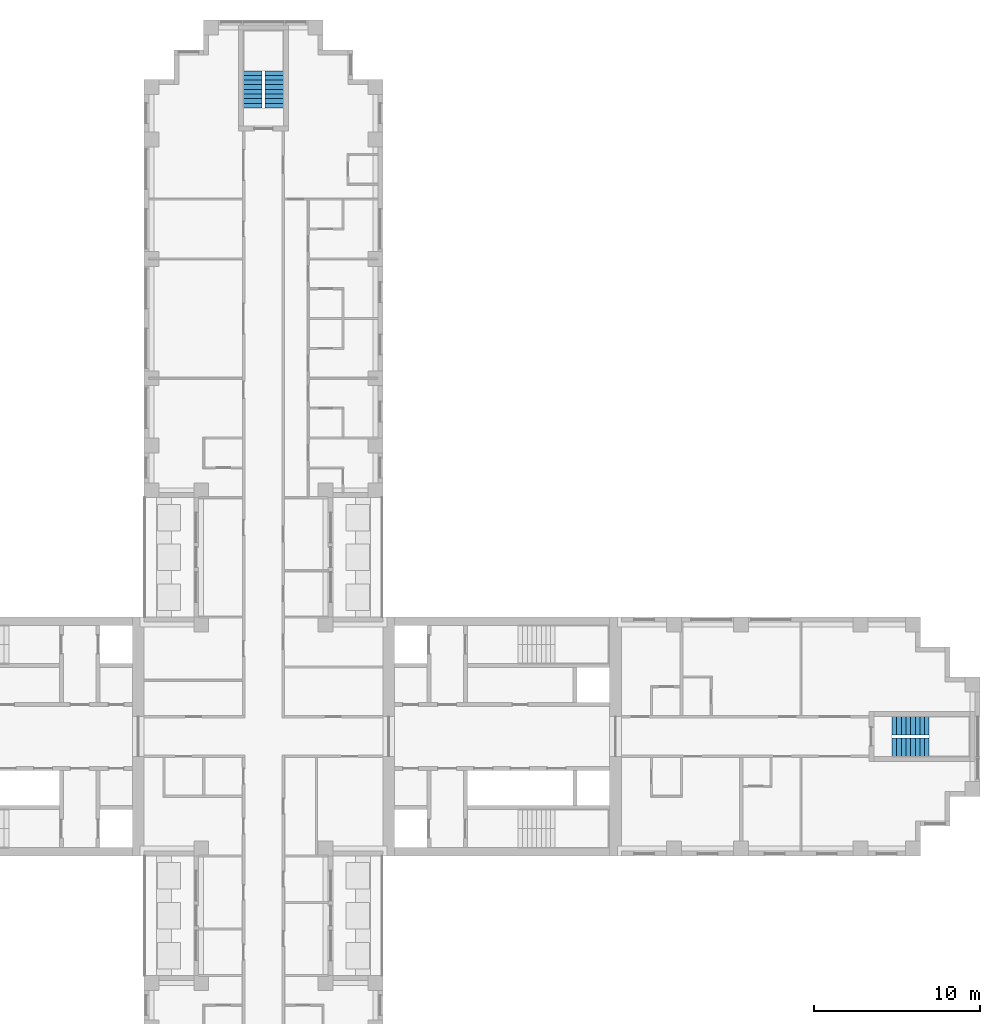
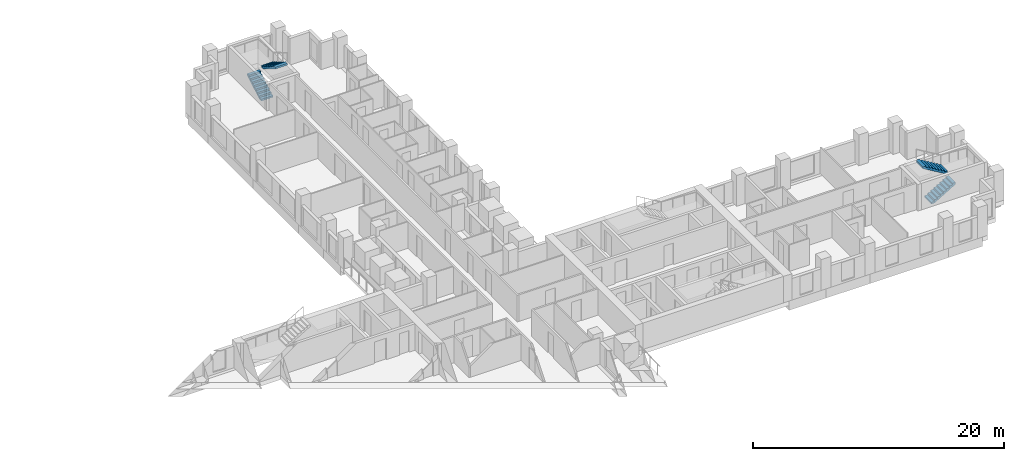
# One storey, part 13 of 15: 4 stair flights, 2 elements without a shape of their own.
"""IFC4 building model written with IfcOpenShell, lengths in metres."""

from ifc_helpers import new_model, si_unit, direction, frame, origin, place, context, subcontext, project, spatial, polyline, outline, extrude, material, type_object, element, aggregate, save


model = new_model("IFC4")

# Units and contexts
model_context = context("Model", 3, precision=1e-05, world=origin(), true_north=direction((0.0, 1.0)))
body_context = subcontext(model_context, "Body", "Model", "MODEL_VIEW")
ifc_project = project(units=[si_unit("LENGTHUNIT", "METRE"), si_unit("AREAUNIT", "SQUARE_METRE"), si_unit("VOLUMEUNIT", "CUBIC_METRE"), si_unit("PLANEANGLEUNIT", "RADIAN"), si_unit("MASSUNIT", "GRAM", prefix="KILO")], contexts=[model_context])

# Site, building, storey
site_placement = place(None, origin())
site = spatial("IfcSite", under=ifc_project, at=site_placement, CompositionType="ELEMENT")
building_placement = place(site_placement, origin())
building = spatial("IfcBuilding", under=site, at=building_placement, Name="Fustian Cross Tower", CompositionType="ELEMENT")
storey_placement = place(building_placement, frame((0.0, 0.0, 41.699951171875)))
storey = spatial("IfcBuildingStorey", under=building, at=storey_placement, Name="L12", CompositionType="ELEMENT", Elevation=41.699951171875)

# Stair, stair flights
ifc_material_1 = material(Name="Concrete C50/60", Category="concrete")
stair_type = type_object("IfcStairType", Name="STAIR 1100 HALF TURN", PredefinedType="HALF_TURN_STAIR", material=ifc_material_1)
stair_1_placement = place(storey_placement, origin())
stair_1 = element("IfcStair", 1, at=stair_1_placement, inside=storey, type_object=stair_type, Name="Stair ST5", PredefinedType="HALF_TURN_STAIR")
ifc_material_2 = material(Name="Concrete C50/60", Category="concrete")
stair_flight_type = type_object("IfcStairFlightType", Name="STAIR FLIGHT 1100", PredefinedType="STRAIGHT", material=ifc_material_2)
stair_flight_1_placement = place(storey_placement, frame((-0.64990234375, 37.89990234375, 0.0), z_axis=(0.0, 0.0, 1.0), x_axis=(0.0, 1.0, 0.0)))
stair_flight_1 = element("IfcStairFlight", 2, at=stair_flight_1_placement, type_object=stair_flight_type, Name="ST5 flight 1", NumberOfRisers=9, NumberOfTreads=8, PredefinedType="STRAIGHT", RiserHeight=0.166666667, TreadLength=0.28, context=body_context, shape_type="SweptSolid", body=[
    extrude(outline(polyline([(0.0, 0.0), (0.0, 0.166748046875), (0.280029296875, 0.166748046875), (0.280029296875, 0.333251953125), (0.56005859375, 0.333251953125), (0.56005859375, 0.5), (0.840087890625, 0.5), (0.840087890625, 0.666748046875), (1.1201171875, 0.666748046875), (1.1201171875, 0.833251953125), (1.39990234375, 0.833251953125), (1.39990234375, 1.0), (1.679931640625, 1.0), (1.679931640625, 1.166748046875), (1.9599609375, 1.166748046875), (1.9599609375, 1.333251953125), (2.239990234375, 1.333251953125), (2.239990234375, 1.5), (2.239990234375, 1.158935546875), (0.29296875, 0.0), (0.0, 0.0)])), frame((0.0, 0.550048828125, 0.0), z_axis=(0.0, -1.0, 0.0), x_axis=(1.0, 0.0, 0.0)), (0.0, 0.0, 1.0), 1.10009765625),
])
stair_flight_2_placement = place(storey_placement, frame((0.64990234375, 40.139892578125, 1.5), z_axis=(0.0, 0.0, 1.0), x_axis=(0.0, -1.0, 0.0)))
stair_flight_2 = element("IfcStairFlight", 3, at=stair_flight_2_placement, type_object=stair_flight_type, Name="ST5 flight 2", NumberOfRisers=9, NumberOfTreads=8, PredefinedType="STRAIGHT", RiserHeight=0.166666667, TreadLength=0.28, context=body_context, shape_type="SweptSolid", body=[
    extrude(outline(polyline([(0.0, 0.0), (0.0, 0.166748046875), (0.280029296875, 0.166748046875), (0.280029296875, 0.333251953125), (0.56005859375, 0.333251953125), (0.56005859375, 0.5), (0.840087890625, 0.5), (0.840087890625, 0.666748046875), (1.1201171875, 0.666748046875), (1.1201171875, 0.833251953125), (1.39990234375, 0.833251953125), (1.39990234375, 1.0), (1.679931640625, 1.0), (1.679931640625, 1.166748046875), (1.9599609375, 1.166748046875), (1.9599609375, 1.333251953125), (2.239990234375, 1.333251953125), (2.239990234375, 1.5), (2.239990234375, 1.158935546875), (0.29296875, 0.0), (0.0, 0.0)])), frame((0.0, 0.550048828125, 0.0), z_axis=(0.0, -1.0, 0.0), x_axis=(1.0, 0.0, 0.0)), (0.0, 0.0, 1.0), 1.10009765625),
])
aggregate(stair_1, [stair_flight_1, stair_flight_2])

stair_2_placement = place(storey_placement, origin())
stair_2 = element("IfcStair", 4, at=stair_2_placement, inside=storey, type_object=stair_type, Name="Stair ST8", PredefinedType="HALF_TURN_STAIR")
stair_flight_3_placement = place(storey_placement, frame((37.89990234375, -0.64990234375, 0.0), z_axis=(0.0, 0.0, 1.0), x_axis=(1.0, 0.0, 0.0)))
stair_flight_3 = element("IfcStairFlight", 5, at=stair_flight_3_placement, type_object=stair_flight_type, Name="ST8 flight 1", NumberOfRisers=9, NumberOfTreads=8, PredefinedType="STRAIGHT", RiserHeight=0.166666667, TreadLength=0.28, context=body_context, shape_type="SweptSolid", body=[
    extrude(outline(polyline([(0.0, 0.0), (0.0, 0.166748046875), (0.280029296875, 0.166748046875), (0.280029296875, 0.333251953125), (0.56005859375, 0.333251953125), (0.56005859375, 0.5), (0.840087890625, 0.5), (0.840087890625, 0.666748046875), (1.1201171875, 0.666748046875), (1.1201171875, 0.833251953125), (1.39990234375, 0.833251953125), (1.39990234375, 1.0), (1.679931640625, 1.0), (1.679931640625, 1.166748046875), (1.9599609375, 1.166748046875), (1.9599609375, 1.333251953125), (2.239990234375, 1.333251953125), (2.239990234375, 1.5), (2.239990234375, 1.158935546875), (0.29296875, 0.0), (0.0, 0.0)])), frame((0.0, 0.550048828125, 0.0), z_axis=(0.0, -1.0, 0.0), x_axis=(1.0, 0.0, 0.0)), (0.0, 0.0, 1.0), 1.10009765625),
])
stair_flight_4_placement = place(storey_placement, frame((40.139892578125, 0.64990234375, 1.5), z_axis=(0.0, 0.0, 1.0), x_axis=(-1.0, 0.0, 0.0)))
stair_flight_4 = element("IfcStairFlight", 6, at=stair_flight_4_placement, type_object=stair_flight_type, Name="ST8 flight 2", NumberOfRisers=9, NumberOfTreads=8, PredefinedType="STRAIGHT", RiserHeight=0.166666667, TreadLength=0.28, context=body_context, shape_type="SweptSolid", body=[
    extrude(outline(polyline([(0.0, 0.0), (0.0, 0.166748046875), (0.280029296875, 0.166748046875), (0.280029296875, 0.333251953125), (0.56005859375, 0.333251953125), (0.56005859375, 0.5), (0.840087890625, 0.5), (0.840087890625, 0.666748046875), (1.1201171875, 0.666748046875), (1.1201171875, 0.833251953125), (1.39990234375, 0.833251953125), (1.39990234375, 1.0), (1.679931640625, 1.0), (1.679931640625, 1.166748046875), (1.9599609375, 1.166748046875), (1.9599609375, 1.333251953125), (2.239990234375, 1.333251953125), (2.239990234375, 1.5), (2.239990234375, 1.158935546875), (0.29296875, 0.0), (0.0, 0.0)])), frame((0.0, 0.550048828125, 0.0), z_axis=(0.0, -1.0, 0.0), x_axis=(1.0, 0.0, 0.0)), (0.0, 0.0, 1.0), 1.10009765625),
])
aggregate(stair_2, [stair_flight_3, stair_flight_4])

save(model, "model.ifc")
